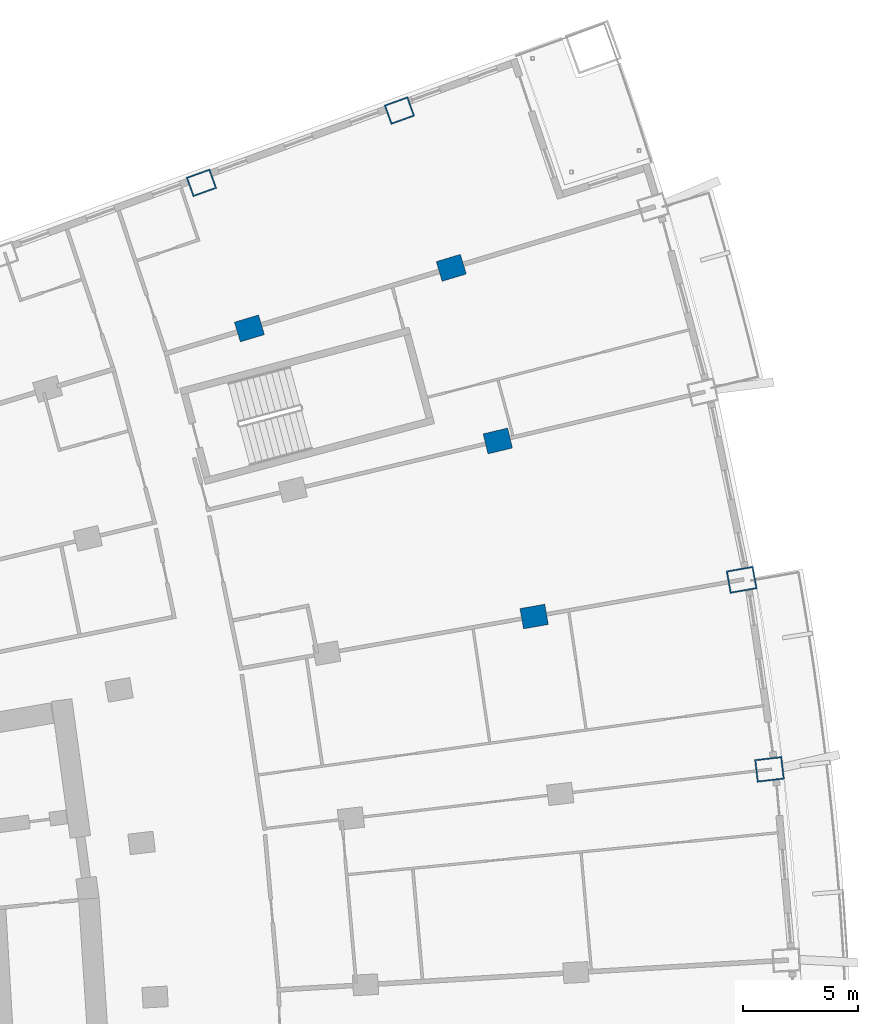
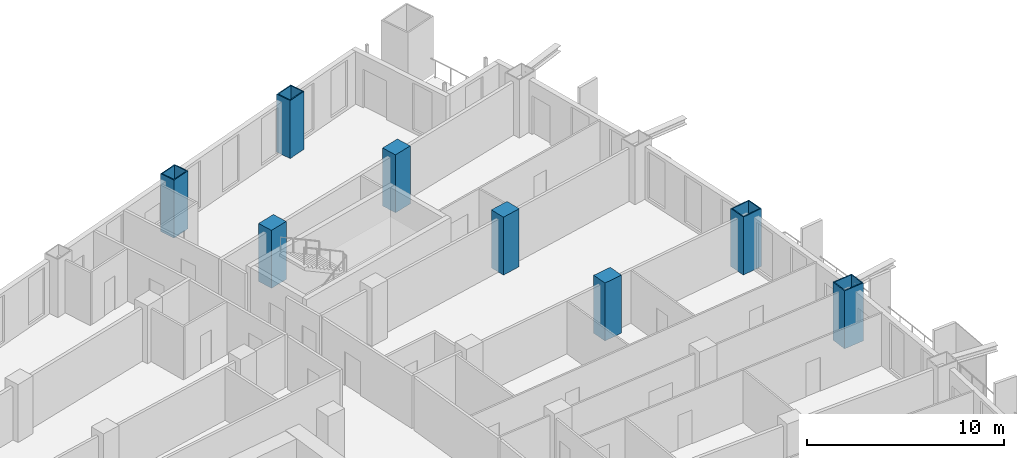
# One storey, part 10 of 25: 8 columns.
"""IFC4 building model written with IfcOpenShell, lengths in metres."""

from ifc_helpers import new_model, si_unit, direction, frame, origin, origin_2d, place, context, subcontext, project, spatial, rectangle, hollow_rectangle, extrude, material, material_profile, profile_set, type_object, element, save


model = new_model("IFC4")

# Units and contexts
model_context = context("Model", 3, precision=1e-05, world=origin(), true_north=direction((0.0, 1.0)))
body_context = subcontext(model_context, "Body", "Model", "MODEL_VIEW")
ifc_project = project(units=[si_unit("LENGTHUNIT", "METRE"), si_unit("AREAUNIT", "SQUARE_METRE"), si_unit("VOLUMEUNIT", "CUBIC_METRE"), si_unit("PLANEANGLEUNIT", "RADIAN"), si_unit("MASSUNIT", "GRAM", prefix="KILO")], contexts=[model_context])

# Site, building, storey
site_placement = place(None, origin())
site = spatial("IfcSite", under=ifc_project, at=site_placement, CompositionType="ELEMENT")
building_placement = place(site_placement, origin())
building = spatial("IfcBuilding", under=site, at=building_placement, Name="Alderwake Tower", CompositionType="ELEMENT")
storey_placement = place(building_placement, frame((0.0, 0.0, 35.60009765625)))
storey = spatial("IfcBuildingStorey", under=building, at=storey_placement, Name="L07", CompositionType="ELEMENT", Elevation=35.60009765625)

# Columns
ifc_material_1 = material(Name="Steel ASTM A572 Grade 50 concrete filled C70/85", Category="concrete")
ifc_material_profile_1 = material_profile(ifc_material_1, hollow_rectangle(XDim=0.89990234375, YDim=1.10009765625, WallThickness=0.06005859375, at=origin_2d()), Name="BOX 1100X900X60")
ifc_profile_set_1 = profile_set([ifc_material_profile_1], Name="Steel ASTM A572 Grade 50 concrete filled C70/85")
column_type_1 = type_object("IfcColumnType", Name="End column Z1", PredefinedType="COLUMN", material=ifc_profile_set_1)
for number, where, z_axis, x_axis, name in (
    (1, (37.6259765625, 103.298095703125, 0.0), (0.0, 0.0, 1.0), (-0.338384834858, 0.941007812687, 0.0), "Column R13-C3"),
    (2, (46.268310546875, 106.452880859375, 0.0), (0.0, 0.0, 1.0), (-0.338695224082, 0.940896139425, 0.0), "Column R13-C4"),
):
    element("IfcColumn", number, at=place(storey_placement, frame(where, z_axis=z_axis, x_axis=x_axis)), inside=storey, type_object=column_type_1, Name=name, PredefinedType="COLUMN", context=body_context, shape_type="SweptSolid", body=[
        extrude(hollow_rectangle(XDim=0.89990234375, YDim=1.10009765625, WallThickness=0.06005859375, at=origin_2d()), origin(), (0.0, 0.0, 1.0), 3.599853515625),
    ])
ifc_material_2 = material(Name="Concrete C70/85", Category="concrete")
ifc_material_profile_2 = material_profile(ifc_material_2, rectangle(XDim=0.89990234375, YDim=1.10009765625, at=origin_2d()), Name="RC 1100X900")
ifc_profile_set_2 = profile_set([ifc_material_profile_2], Name="Concrete C70/85")
column_type_2 = type_object("IfcColumnType", Name="Interior column Z1", PredefinedType="COLUMN", material=ifc_profile_set_2)
for number, where, z_axis, x_axis, name in (
    (3, (52.150390625, 84.365234375, 0.0), (0.0, 0.0, 1.0), (-0.174108800747, 0.984726421654, 0.0), "Column R10-C4"),
    (4, (50.563232421875, 92.030029296875, 0.0), (0.0, 0.0, 1.0), (-0.231221547198, 0.972901123502, 0.0), "Column R11-C4"),
    (5, (39.720703125, 96.943603515625, 0.0), (0.0, 0.0, 1.0), (-0.287549418125, 0.957765802342, 0.0), "Column R12-C3"),
    (6, (48.5322265625, 99.589111328125, 0.0), (0.0, 0.0, 1.0), (-0.287549418125, 0.957765802342, 0.0), "Column R12-C4"),
):
    element("IfcColumn", number, at=place(storey_placement, frame(where, z_axis=z_axis, x_axis=x_axis)), inside=storey, type_object=column_type_2, Name=name, PredefinedType="COLUMN", context=body_context, shape_type="SweptSolid", body=[
        extrude(rectangle(XDim=0.89990234375, YDim=1.10009765625, at=origin_2d()), origin(), (0.0, 0.0, 1.0), 3.599853515625),
    ])
ifc_material_3 = material(Name="Steel ASTM A572 Grade 50 concrete filled C70/85", Category="concrete")
ifc_material_profile_3 = material_profile(ifc_material_3, hollow_rectangle(XDim=1.0, YDim=1.199951171875, WallThickness=0.06005859375, at=origin_2d()), Name="BOX 1200X1000X60")
ifc_profile_set_3 = profile_set([ifc_material_profile_3], Name="Steel ASTM A572 Grade 50 concrete filled C70/85")
column_type_3 = type_object("IfcColumnType", Name="Perimeter column Z1", PredefinedType="COLUMN", material=ifc_profile_set_3)
for number, where, z_axis, x_axis, name in (
    (7, (62.42529296875, 77.692138671875, 0.0), (0.0, 0.0, 1.0), (-0.116402054316, 0.993202175668, 0.0), "Column R09-C5"),
    (8, (61.209716796875, 85.967041015625, 0.0), (0.0, 0.0, 1.0), (-0.174108800747, 0.984726421654, 0.0), "Column R10-C5"),
):
    element("IfcColumn", number, at=place(storey_placement, frame(where, z_axis=z_axis, x_axis=x_axis)), inside=storey, type_object=column_type_3, Name=name, PredefinedType="COLUMN", context=body_context, shape_type="SweptSolid", body=[
        extrude(hollow_rectangle(XDim=1.0, YDim=1.199951171875, WallThickness=0.06005859375, at=origin_2d()), origin(), (0.0, 0.0, 1.0), 3.599853515625),
    ])

save(model, "model.ifc")
